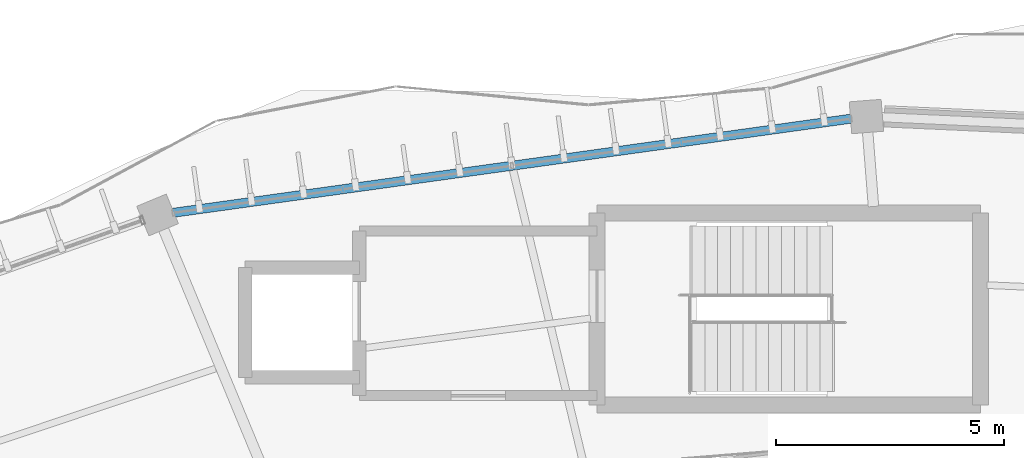
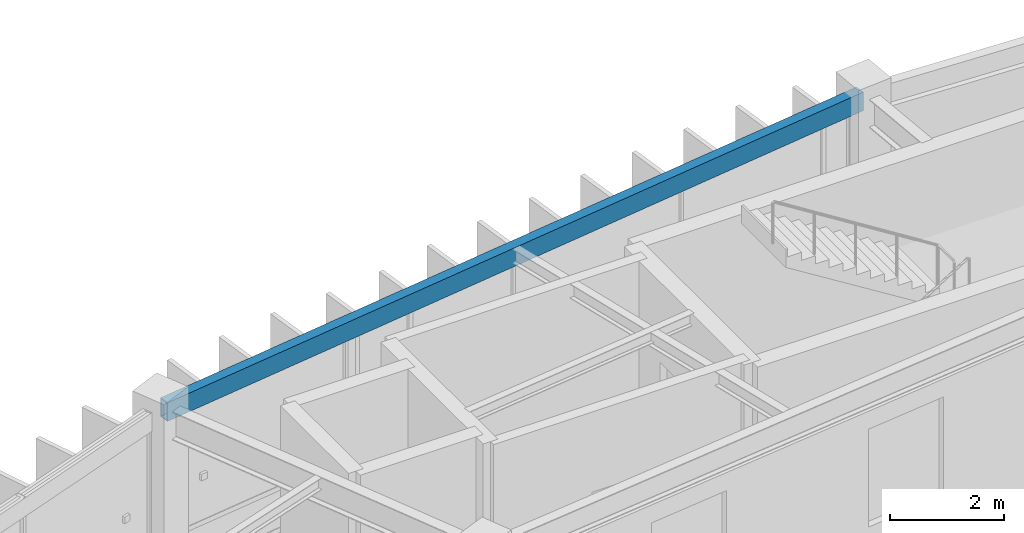
# One storey, part 66 of 138: 1 beam.
"""IFC4 building model written with IfcOpenShell, lengths in metres."""

from ifc_helpers import new_model, si_unit, direction, frame, origin, origin_2d, place, context, subcontext, project, spatial, hollow_rectangle, extrude, material, material_profile, profile_set, type_object, element, save


model = new_model("IFC4")

# Units and contexts
model_context = context("Model", 3, precision=1e-05, world=origin(), true_north=direction((0.0, 1.0)))
body_context = subcontext(model_context, "Body", "Model", "MODEL_VIEW")
ifc_project = project(units=[si_unit("LENGTHUNIT", "METRE"), si_unit("AREAUNIT", "SQUARE_METRE"), si_unit("VOLUMEUNIT", "CUBIC_METRE"), si_unit("PLANEANGLEUNIT", "RADIAN"), si_unit("MASSUNIT", "GRAM", prefix="KILO"), si_unit("THERMODYNAMICTEMPERATUREUNIT", "KELVIN"), si_unit("POWERUNIT", "WATT")], contexts=[model_context])

# Site, building, storey
site_placement = place(None, origin())
site = spatial("IfcSite", under=ifc_project, at=site_placement, CompositionType="ELEMENT")
building_placement = place(site_placement, origin())
building = spatial("IfcBuilding", under=site, at=building_placement, Name="Darbajah Civic Hall", CompositionType="ELEMENT")
storey_placement = place(building_placement, frame((0.0, 0.0, 9.60009765625)))
storey = spatial("IfcBuildingStorey", under=building, at=storey_placement, Name="L02", CompositionType="ELEMENT", Elevation=9.60009765625)

# Beam
ifc_material = material(Name="Steel S355JR", Category="steel")
ifc_material_profile = material_profile(ifc_material, hollow_rectangle(XDim=0.199951171875, YDim=0.39990234375, WallThickness=0.013916015625, at=origin_2d()), Name="RHS 400x200x14")
ifc_profile_set = profile_set([ifc_material_profile], Name="Steel S355JR")
beam_type = type_object("IfcBeamType", Name="RHS 400x200x14", PredefinedType="SPANDREL", material=ifc_profile_set)
beam_placement = place(storey_placement, frame((85.019287109375, 119.197998046875, 3.719970703125), z_axis=(-0.990495253006, -0.137546914804, 0.0), x_axis=(0.137546914804, -0.990495253006, 0.0)))
element("IfcBeam", 1, at=beam_placement, inside=storey, type_object=beam_type, Name="L02 beam SP-RHS400", PredefinedType="SPANDREL", context=body_context, shape_type="SweptSolid", body=[
    extrude(hollow_rectangle(XDim=0.199951171875, YDim=0.39990234375, WallThickness=0.013916015625, at=origin_2d()), origin(), (0.0, 0.0, 1.0), 15.50439453125),
])

save(model, "model.ifc")
